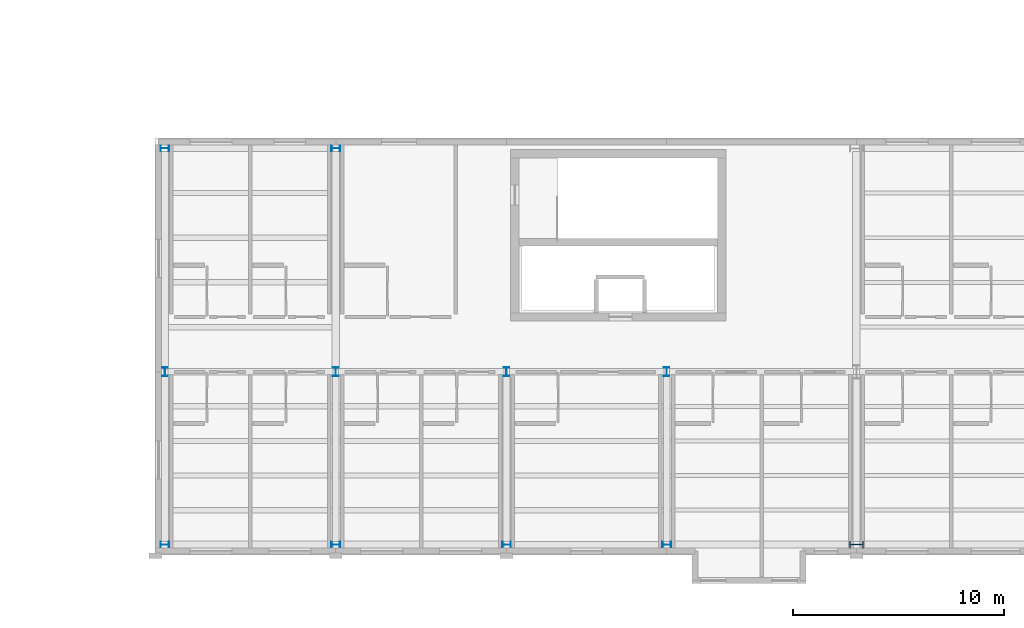
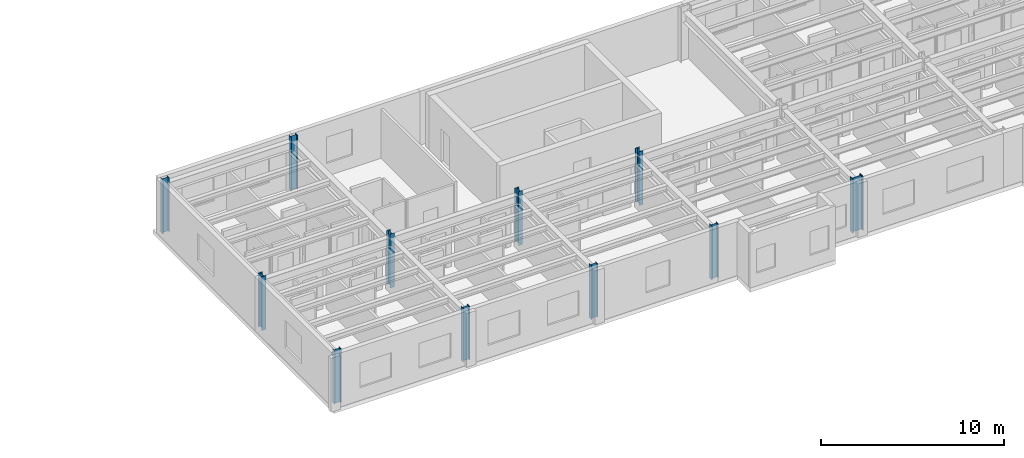
# One storey, part 1 of 27: 11 columns.
"""IFC4 building model written with IfcOpenShell, lengths in metres."""

from ifc_helpers import new_model, si_unit, direction, frame, origin, origin_2d, place, context, subcontext, project, spatial, i_section, extrude, material, material_profile, profile_set, type_object, element, save


model = new_model("IFC4")

# Units and contexts
model_context = context("Model", 3, precision=1e-05, world=origin(), true_north=direction((0.0, 1.0)))
body_context = subcontext(model_context, "Body", "Model", "MODEL_VIEW")
ifc_project = project(units=[si_unit("LENGTHUNIT", "METRE"), si_unit("AREAUNIT", "SQUARE_METRE"), si_unit("VOLUMEUNIT", "CUBIC_METRE"), si_unit("PLANEANGLEUNIT", "RADIAN"), si_unit("MASSUNIT", "GRAM", prefix="KILO")], contexts=[model_context])

# Site, building, storey
site_placement = place(None, origin())
site = spatial("IfcSite", under=ifc_project, at=site_placement, CompositionType="ELEMENT")
building_placement = place(site_placement, origin())
building = spatial("IfcBuilding", under=site, at=building_placement, Name="Sollismere Congress Hotel", CompositionType="ELEMENT")
storey_placement = place(building_placement, frame((0.0, 0.0, 27.0)))
storey = spatial("IfcBuildingStorey", under=building, at=storey_placement, Name="L06", CompositionType="ELEMENT", Elevation=27.0)

# Columns
ifc_material = material(Name="Steel ASTM A992 Grade 50", Category="steel")
ifc_material_profile_1 = material_profile(ifc_material, i_section(OverallWidth=0.261962890625, OverallDepth=0.4189453125, WebThickness=0.01171875, FlangeThickness=0.019287109375, at=origin_2d()), Name="W16X77")
ifc_profile_set_1 = profile_set([ifc_material_profile_1], Name="Steel ASTM A992 Grade 50")
column_type_1 = type_object("IfcColumnType", Name="COL-W16", PredefinedType="COLUMN", material=ifc_profile_set_1)
for number, where, z_axis, x_axis, name in (
    (1, (34.199951171875, 0.0, 0.0), (0.0, 0.0, 1.0), (0.0, 1.0, 0.0), "Column CL-L06-122"),
    (2, (34.199951171875, 8.199951171875, 0.0), (0.0, 0.0, 1.0), (1.0, 0.0, 0.0), "Column CL-L06-130"),
    (3, (34.199951171875, 18.800048828125, 0.0), (0.0, 0.0, 1.0), (0.0, 1.0, 0.0), "Column CL-L06-138"),
    (4, (42.300048828125, 0.0, 0.0), (0.0, 0.0, 1.0), (0.0, 1.0, 0.0), "Column CL-L06-157"),
    (5, (42.300048828125, 8.199951171875, 0.0), (0.0, 0.0, 1.0), (1.0, 0.0, 0.0), "Column CL-L06-165"),
    (6, (42.300048828125, 18.800048828125, 0.0), (0.0, 0.0, 1.0), (0.0, 1.0, 0.0), "Column CL-L06-173"),
    (7, (50.39990234375, 0.0, 0.0), (0.0, 0.0, 1.0), (0.0, 1.0, 0.0), "Column CL-L06-192"),
    (8, (50.39990234375, 8.199951171875, 0.0), (0.0, 0.0, 1.0), (1.0, 0.0, 0.0), "Column CL-L06-200"),
    (9, (58.0, 0.0, 0.0), (0.0, 0.0, 1.0), (0.0, 1.0, 0.0), "Column CL-L06-235"),
    (10, (58.0, 8.199951171875, 0.0), (0.0, 0.0, 1.0), (1.0, 0.0, 0.0), "Column CL-L06-243"),
):
    element("IfcColumn", number, at=place(storey_placement, frame(where, z_axis=z_axis, x_axis=x_axis)), inside=storey, type_object=column_type_1, Name=name, PredefinedType="COLUMN", context=body_context, shape_type="SweptSolid", body=[
        extrude(i_section(OverallWidth=0.261962890625, OverallDepth=0.4189453125, WebThickness=0.01171875, FlangeThickness=0.019287109375, at=origin_2d()), origin(), (0.0, 0.0, 1.0), 3.60009765625),
    ])
ifc_material_profile_2 = material_profile(ifc_material, i_section(OverallWidth=0.3330078125, OverallDepth=0.659912109375, WebThickness=0.0244140625, FlangeThickness=0.0439453125, at=origin_2d()), Name="W24X229")
ifc_profile_set_2 = profile_set([ifc_material_profile_2], Name="Steel ASTM A992 Grade 50")
column_type_2 = type_object("IfcColumnType", Name="COL-W24", PredefinedType="COLUMN", material=ifc_profile_set_2)
column_placement = place(storey_placement, frame((67.0, 0.0, 0.0), z_axis=(0.0, 0.0, 1.0), x_axis=(0.0, 1.0, 0.0)))
element("IfcColumn", 11, at=column_placement, inside=storey, type_object=column_type_2, Name="Column CL-L06-283", PredefinedType="COLUMN", context=body_context, shape_type="SweptSolid", body=[
    extrude(i_section(OverallWidth=0.3330078125, OverallDepth=0.659912109375, WebThickness=0.0244140625, FlangeThickness=0.0439453125, at=origin_2d()), origin(), (0.0, 0.0, 1.0), 3.60009765625),
])

save(model, "model.ifc")
